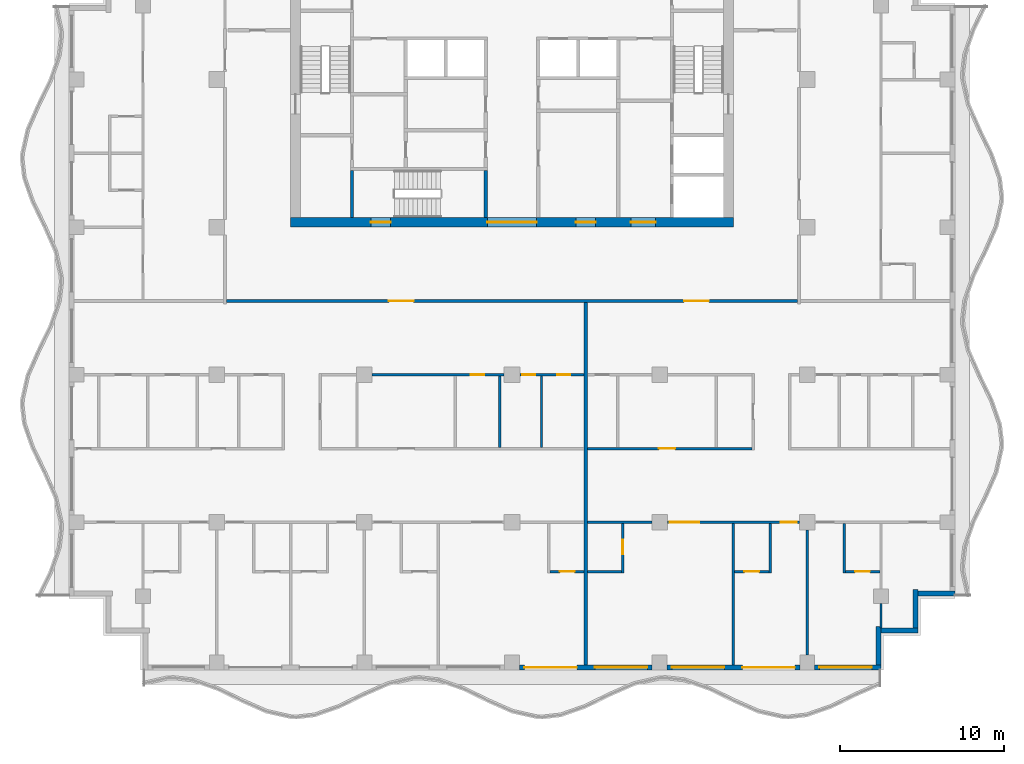
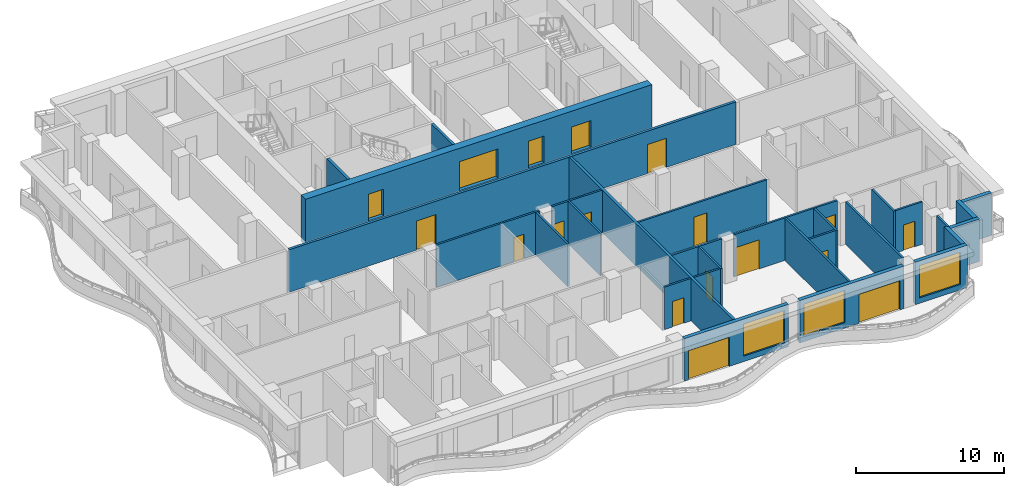
# One storey, part 3 of 11: 29 walls, 18 doors, 3 windows, 21 openings.
"""IFC4 building model written with IfcOpenShell, lengths in metres."""

from ifc_helpers import new_model, si_unit, direction, frame, frame_2d, origin, place, context, subcontext, project, spatial, rectangle, extrude, material, layer, layer_set, type_object, element, fill, save


model = new_model("IFC4")

# Units and contexts
model_context = context("Model", 3, precision=1e-05, world=origin(), true_north=direction((0.0, 1.0)))
body_context = subcontext(model_context, "Body", "Model", "MODEL_VIEW")
ifc_project = project(units=[si_unit("LENGTHUNIT", "METRE"), si_unit("AREAUNIT", "SQUARE_METRE"), si_unit("VOLUMEUNIT", "CUBIC_METRE"), si_unit("PLANEANGLEUNIT", "RADIAN"), si_unit("MASSUNIT", "GRAM", prefix="KILO")], contexts=[model_context])

# Site, building, storey
site_placement = place(None, origin())
site = spatial("IfcSite", under=ifc_project, at=site_placement, CompositionType="ELEMENT")
building_placement = place(site_placement, origin())
building = spatial("IfcBuilding", under=site, at=building_placement, Name="Orbiselva Terraces", CompositionType="ELEMENT")
storey_placement = place(building_placement, frame((0.0, 0.0, 261.6)))
storey = spatial("IfcBuildingStorey", under=building, at=storey_placement, Name="L66", CompositionType="ELEMENT", Elevation=261.6)

# Wall, openings, doors
ifc_material_1 = material(Name="Concrete C80/95", Category="concrete")
ifc_layer_1 = layer(ifc_material_1, 0.6)
ifc_layer_set_1 = layer_set([ifc_layer_1], Name="Concrete C80/95")
wall_type_1 = type_object("IfcWallType", Name="CORE WALL 600", PredefinedType="SHEAR", material=ifc_layer_set_1)
wall_1_placement = place(storey_placement, frame((-13.5, 4.8, -0.3), z_axis=(0.0, 0.0, 1.0), x_axis=(1.0, 0.0, 0.0)))
wall_1 = element("IfcWall", 1, at=wall_1_placement, inside=storey, type_object=wall_type_1, Name="Core wall L66 south", PredefinedType="SHEAR", context=body_context, shape_type="SweptSolid", body=[
    extrude(rectangle(XDim=27.0, YDim=0.6, at=frame_2d((13.5, 0.0))), origin(), (0.0, 0.0, 1.0), 3.8),
])
opening_1_placement = place(wall_1_placement, frame((12.0, 0.0, 0.3)))
opening_1 = element("IfcOpeningElement", 2, at=opening_1_placement, cuts=wall_1, Name="Opening DL3000", PredefinedType="OPENING", context=body_context, shape_type="SweptSolid", body=[
    extrude(rectangle(XDim=3.0, YDim=2.4, at=frame_2d((1.5, 1.2))), frame((0.0, 0.31, 0.0), z_axis=(0.0, -1.0, 0.0), x_axis=(1.0, 0.0, 0.0)), (0.0, 0.0, 1.0), 0.62),
])
opening_2_placement = place(wall_1_placement, frame((4.9, 0.0, 0.3)))
opening_2 = element("IfcOpeningElement", 3, at=opening_2_placement, cuts=wall_1, Name="Opening DS1200", PredefinedType="OPENING", context=body_context, shape_type="SweptSolid", body=[
    extrude(rectangle(XDim=1.2, YDim=2.2, at=frame_2d((0.6, 1.1))), frame((0.0, 0.31, 0.0), z_axis=(0.0, -1.0, 0.0), x_axis=(1.0, 0.0, 0.0)), (0.0, 0.0, 1.0), 0.62),
])
opening_3_placement = place(wall_1_placement, frame((20.75, 0.0, 0.3)))
opening_3 = element("IfcOpeningElement", 4, at=opening_3_placement, cuts=wall_1, Name="Opening DF1500", PredefinedType="OPENING", context=body_context, shape_type="SweptSolid", body=[
    extrude(rectangle(XDim=1.5, YDim=2.2, at=frame_2d((0.75, 1.1))), frame((0.0, 0.31, 0.0), z_axis=(0.0, -1.0, 0.0), x_axis=(1.0, 0.0, 0.0)), (0.0, 0.0, 1.0), 0.62),
])
opening_4_placement = place(wall_1_placement, frame((17.4, 0.0, 0.3)))
opening_4 = element("IfcOpeningElement", 5, at=opening_4_placement, cuts=wall_1, Name="Opening DV1200", PredefinedType="OPENING", context=body_context, shape_type="SweptSolid", body=[
    extrude(rectangle(XDim=1.2, YDim=2.2, at=frame_2d((0.6, 1.1))), frame((0.0, 0.31, 0.0), z_axis=(0.0, -1.0, 0.0), x_axis=(1.0, 0.0, 0.0)), (0.0, 0.0, 1.0), 0.62),
])
ifc_material_2 = material(Name="Steel fire door", Category="steel")
door_type_1 = type_object("IfcDoorType", Name="FFL DOOR 1500", OperationType="DOUBLE_DOOR_SINGLE_SWING", PredefinedType="DOOR", material=ifc_material_2)
door_1_placement = place(opening_3_placement, frame((1.5, 0.0, 0.0), z_axis=(0.0, 0.0, 1.0), x_axis=(-1.0, 0.0, 0.0)))
door_1 = element("IfcDoor", 6, at=door_1_placement, inside=storey, type_object=door_type_1, Name="L66 FIRE-FIGHTING LOBBY door", OperationType="DOUBLE_DOOR_SINGLE_SWING", OverallHeight=2.2, OverallWidth=1.5, PredefinedType="DOOR", context=body_context, shape_type="SweptSolid", body=[
    extrude(rectangle(XDim=1.5, YDim=2.2, at=frame_2d((0.75, 1.1))), frame((0.0, 0.025, 0.0), z_axis=(0.0, -1.0, 0.0), x_axis=(1.0, 0.0, 0.0)), (0.0, 0.0, 1.0), 0.05),
])
fill(opening_3, door_1)
door_type_2 = type_object("IfcDoorType", Name="LOBBY DOOR 3000", OperationType="DOUBLE_DOOR_SINGLE_SWING", PredefinedType="DOOR", material=ifc_material_2)
door_2_placement = place(opening_1_placement, frame((3.0, 0.0, 0.0), z_axis=(0.0, 0.0, 1.0), x_axis=(-1.0, 0.0, 0.0)))
door_2 = element("IfcDoor", 7, at=door_2_placement, inside=storey, type_object=door_type_2, Name="L66 LIFT LOBBY door", OperationType="DOUBLE_DOOR_SINGLE_SWING", OverallHeight=2.4, OverallWidth=3.0, PredefinedType="DOOR", context=body_context, shape_type="SweptSolid", body=[
    extrude(rectangle(XDim=3.0, YDim=2.4, at=frame_2d((1.5, 1.2))), frame((0.0, 0.025, 0.0), z_axis=(0.0, -1.0, 0.0), x_axis=(1.0, 0.0, 0.0)), (0.0, 0.0, 1.0), 0.05),
])
fill(opening_1, door_2)
door_type_3 = type_object("IfcDoorType", Name="SERVICE DOOR 1200", OperationType="NOTDEFINED", PredefinedType="DOOR", material=ifc_material_2)
door_3_placement = place(opening_4_placement, frame((1.2, 0.0, 0.0), z_axis=(0.0, 0.0, 1.0), x_axis=(-1.0, 0.0, 0.0)))
door_3 = element("IfcDoor", 8, at=door_3_placement, inside=storey, type_object=door_type_3, Name="L66 SERVICE ROOM door", OperationType="SINGLE_SWING_RIGHT", OverallHeight=2.2, OverallWidth=1.2, PredefinedType="DOOR", context=body_context, shape_type="SweptSolid", body=[
    extrude(rectangle(XDim=1.2, YDim=2.2, at=frame_2d((0.6, 1.1))), frame((0.0, 0.025, 0.0), z_axis=(0.0, -1.0, 0.0), x_axis=(1.0, 0.0, 0.0)), (0.0, 0.0, 1.0), 0.05),
])
fill(opening_4, door_3)
door_type_4 = type_object("IfcDoorType", Name="STAIR DOOR 1200", OperationType="NOTDEFINED", PredefinedType="DOOR", material=ifc_material_2)
door_4_placement = place(opening_2_placement, frame((1.2, 0.0, 0.0), z_axis=(0.0, 0.0, 1.0), x_axis=(-1.0, 0.0, 0.0)))
door_4 = element("IfcDoor", 9, at=door_4_placement, inside=storey, type_object=door_type_4, Name="L66 EXIT STAIR S3 door", OperationType="SINGLE_SWING_LEFT", OverallHeight=2.2, OverallWidth=1.2, PredefinedType="DOOR", context=body_context, shape_type="SweptSolid", body=[
    extrude(rectangle(XDim=1.2, YDim=2.2, at=frame_2d((0.6, 1.1))), frame((0.0, 0.025, 0.0), z_axis=(0.0, -1.0, 0.0), x_axis=(1.0, 0.0, 0.0)), (0.0, 0.0, 1.0), 0.05),
])
fill(opening_2, door_4)

# Walls
ifc_material_3 = material(Name="Concrete C60/75", Category="concrete")
ifc_layer_2 = layer(ifc_material_3, 0.2)
ifc_layer_set_2 = layer_set([ifc_layer_2], Name="Concrete C60/75")
wall_type_2 = type_object("IfcWallType", Name="CORE-WALL-SHEAR-200", PredefinedType="SHEAR", material=ifc_layer_set_2)
for number, where, z_axis, x_axis, name in (
    (10, (-9.75, 5.1, 0.0), (0.0, 0.0, 1.0), (0.0, 1.0, 0.0), "L66 core wall 03"),
    (11, (-1.6, 5.1, 0.0), (0.0, 0.0, 1.0), (0.0, 1.0, 0.0), "L66 core wall 22"),
):
    element("IfcWall", number, at=place(storey_placement, frame(where, z_axis=z_axis, x_axis=x_axis)), inside=storey, type_object=wall_type_2, Name=name, PredefinedType="SHEAR", context=body_context, shape_type="SweptSolid", body=[
        extrude(rectangle(XDim=2.85, YDim=0.2, at=frame_2d((1.425, 0.0))), origin(), (0.0, 0.0, 1.0), 3.5),
    ])

# Wall, openings, door, window
ifc_material_4 = material(Name="Terracotta cladding on masonry backing", Category="masonry")
ifc_layer_3 = layer(ifc_material_4, 0.3)
ifc_layer_set_3 = layer_set([ifc_layer_3], Name="Terracotta cladding on masonry backing")
wall_type_3 = type_object("IfcWallType", Name="ENV-WALL-TERRACOTTA-300", PredefinedType="SOLIDWALL", material=ifc_layer_set_3)
wall_2_placement = place(storey_placement, frame((8.55, -22.35, 0.0), z_axis=(0.0, 0.0, 1.0), x_axis=(-1.0, 0.0, 0.0)))
wall_2 = element("IfcWall", 12, at=wall_2_placement, inside=storey, type_object=wall_type_3, Name="Facade wall L66 S", PredefinedType="SOLIDWALL", context=body_context, shape_type="SweptSolid", body=[
    extrude(rectangle(XDim=8.1, YDim=0.3, at=frame_2d((4.05, 0.0))), origin(), (0.0, 0.0, 1.0), 3.5),
])
opening_5_placement = place(wall_2_placement, frame((4.6, 0.0, 0.0)))
opening_5 = element("IfcOpeningElement", 13, at=opening_5_placement, cuts=wall_2, Name="Opening Z5-C-E03", PredefinedType="OPENING", context=body_context, shape_type="SweptSolid", body=[
    extrude(rectangle(XDim=3.2, YDim=2.4, at=frame_2d((1.6, 1.2))), frame((0.0, 0.16, 0.0), z_axis=(0.0, -1.0, 0.0), x_axis=(1.0, 0.0, 0.0)), (0.0, 0.0, 1.0), 0.32),
])
opening_6_placement = place(wall_2_placement, frame((0.3, 0.0, 0.45)))
opening_6 = element("IfcOpeningElement", 14, at=opening_6_placement, cuts=wall_2, Name="Opening WN17", PredefinedType="OPENING", context=body_context, shape_type="SweptSolid", body=[
    extrude(rectangle(XDim=3.2, YDim=2.65, at=frame_2d((1.6, 1.325))), frame((0.0, 0.16, 0.0), z_axis=(0.0, -1.0, 0.0), x_axis=(1.0, 0.0, 0.0)), (0.0, 0.0, 1.0), 0.32),
])
ifc_material_5 = material(Name="Clear low-e glazing in aluminium frame", Category="aluminium")
door_type_5 = type_object("IfcDoorType", Name="BALCONY DOOR 3200 X 2400", OperationType="DOUBLE_DOOR_SLIDING", PredefinedType="DOOR", material=ifc_material_5)
door_5_placement = place(opening_5_placement, origin())
door_5 = element("IfcDoor", 15, at=door_5_placement, inside=storey, type_object=door_type_5, Name="Z5-C-E03", OperationType="SINGLE_SWING_LEFT", OverallHeight=2.4, OverallWidth=3.2, PredefinedType="DOOR", context=body_context, shape_type="SweptSolid", body=[
    extrude(rectangle(XDim=3.2, YDim=2.4, at=frame_2d((1.6, 1.2))), frame((0.0, 0.025, 0.0), z_axis=(0.0, -1.0, 0.0), x_axis=(1.0, 0.0, 0.0)), (0.0, 0.0, 1.0), 0.05),
])
fill(opening_5, door_5)
window_type = type_object("IfcWindowType", Name="WINDOW 3200 X 2650 S450", PartitioningType="TRIPLE_PANEL_VERTICAL", PredefinedType="WINDOW", material=ifc_material_5)
window_1_placement = place(opening_6_placement, origin())
window_1 = element("IfcWindow", 16, at=window_1_placement, inside=storey, type_object=window_type, Name="Window L66 S", OverallHeight=2.65, OverallWidth=3.2, PartitioningType="SINGLE_PANEL", PredefinedType="WINDOW", context=body_context, shape_type="SweptSolid", body=[
    extrude(rectangle(XDim=3.2, YDim=2.65, at=frame_2d((1.6, 1.325))), frame((0.0, 0.03, 0.0), z_axis=(0.0, -1.0, 0.0), x_axis=(1.0, 0.0, 0.0)), (0.0, 0.0, 1.0), 0.06),
])
fill(opening_6, window_1)

wall_3_placement = place(storey_placement, frame((17.55, -22.35, 0.0), z_axis=(0.0, 0.0, 1.0), x_axis=(-1.0, 0.0, 0.0)))
wall_3 = element("IfcWall", 17, at=wall_3_placement, inside=storey, type_object=wall_type_3, Name="Facade wall L66 S", PredefinedType="SOLIDWALL", context=body_context, shape_type="SweptSolid", body=[
    extrude(rectangle(XDim=8.1, YDim=0.3, at=frame_2d((4.05, 0.0))), origin(), (0.0, 0.0, 1.0), 3.5),
])
opening_7_placement = place(wall_3_placement, frame((4.6, 0.0, 0.45)))
opening_7 = element("IfcOpeningElement", 18, at=opening_7_placement, cuts=wall_3, Name="Opening WN17", PredefinedType="OPENING", context=body_context, shape_type="SweptSolid", body=[
    extrude(rectangle(XDim=3.2, YDim=2.65, at=frame_2d((1.6, 1.325))), frame((0.0, 0.16, 0.0), z_axis=(0.0, -1.0, 0.0), x_axis=(1.0, 0.0, 0.0)), (0.0, 0.0, 1.0), 0.32),
])
opening_8_placement = place(wall_3_placement, frame((0.3, 0.0, 0.0)))
opening_8 = element("IfcOpeningElement", 19, at=opening_8_placement, cuts=wall_3, Name="Opening Z5-C-E04", PredefinedType="OPENING", context=body_context, shape_type="SweptSolid", body=[
    extrude(rectangle(XDim=3.2, YDim=2.4, at=frame_2d((1.6, 1.2))), frame((0.0, 0.16, 0.0), z_axis=(0.0, -1.0, 0.0), x_axis=(1.0, 0.0, 0.0)), (0.0, 0.0, 1.0), 0.32),
])
door_6_placement = place(opening_8_placement, origin())
door_6 = element("IfcDoor", 20, at=door_6_placement, inside=storey, type_object=door_type_5, Name="Z5-C-E04", OperationType="SINGLE_SWING_LEFT", OverallHeight=2.4, OverallWidth=3.2, PredefinedType="DOOR", context=body_context, shape_type="SweptSolid", body=[
    extrude(rectangle(XDim=3.2, YDim=2.4, at=frame_2d((1.6, 1.2))), frame((0.0, 0.025, 0.0), z_axis=(0.0, -1.0, 0.0), x_axis=(1.0, 0.0, 0.0)), (0.0, 0.0, 1.0), 0.05),
])
fill(opening_8, door_6)
window_2_placement = place(opening_7_placement, origin())
window_2 = element("IfcWindow", 21, at=window_2_placement, inside=storey, type_object=window_type, Name="Window L66 S", OverallHeight=2.65, OverallWidth=3.2, PartitioningType="SINGLE_PANEL", PredefinedType="WINDOW", context=body_context, shape_type="SweptSolid", body=[
    extrude(rectangle(XDim=3.2, YDim=2.65, at=frame_2d((1.6, 1.325))), frame((0.0, 0.03, 0.0), z_axis=(0.0, -1.0, 0.0), x_axis=(1.0, 0.0, 0.0)), (0.0, 0.0, 1.0), 0.06),
])
fill(opening_7, window_2)

# Wall, opening, window
wall_4_placement = place(storey_placement, frame((22.5, -22.35, 0.0), z_axis=(0.0, 0.0, 1.0), x_axis=(-1.0, 0.0, 0.0)))
wall_4 = element("IfcWall", 22, at=wall_4_placement, inside=storey, type_object=wall_type_3, Name="Facade wall L66 S", PredefinedType="SOLIDWALL", context=body_context, shape_type="SweptSolid", body=[
    extrude(rectangle(XDim=4.05, YDim=0.3, at=frame_2d((2.025, 0.0))), origin(), (0.0, 0.0, 1.0), 3.5),
])
opening_9_placement = place(wall_4_placement, frame((0.55, 0.0, 0.45)))
opening_9 = element("IfcOpeningElement", 23, at=opening_9_placement, cuts=wall_4, Name="Opening WN17", PredefinedType="OPENING", context=body_context, shape_type="SweptSolid", body=[
    extrude(rectangle(XDim=3.2, YDim=2.65, at=frame_2d((1.6, 1.325))), frame((0.0, 0.16, 0.0), z_axis=(0.0, -1.0, 0.0), x_axis=(1.0, 0.0, 0.0)), (0.0, 0.0, 1.0), 0.32),
])
window_3_placement = place(opening_9_placement, origin())
window_3 = element("IfcWindow", 24, at=window_3_placement, inside=storey, type_object=window_type, Name="Window L66 S", OverallHeight=2.65, OverallWidth=3.2, PartitioningType="SINGLE_PANEL", PredefinedType="WINDOW", context=body_context, shape_type="SweptSolid", body=[
    extrude(rectangle(XDim=3.2, YDim=2.65, at=frame_2d((1.6, 1.325))), frame((0.0, 0.03, 0.0), z_axis=(0.0, -1.0, 0.0), x_axis=(1.0, 0.0, 0.0)), (0.0, 0.0, 1.0), 0.06),
])
fill(opening_9, window_3)

# Walls
wall_5_placement = place(storey_placement, frame((22.35, -19.85, 0.0), z_axis=(0.0, 0.0, 1.0), x_axis=(0.0, -1.0, 0.0)))
element("IfcWall", 25, at=wall_5_placement, inside=storey, type_object=wall_type_3, Name="Facade wall L66 STEP", PredefinedType="SOLIDWALL", context=body_context, shape_type="SweptSolid", body=[
    extrude(rectangle(XDim=2.35, YDim=0.3, at=frame_2d((1.175, 0.0))), origin(), (0.0, 0.0, 1.0), 3.5),
])
wall_6_placement = place(storey_placement, frame((24.75, -20.1, 0.0), z_axis=(0.0, 0.0, 1.0), x_axis=(-1.0, 0.0, 0.0)))
element("IfcWall", 26, at=wall_6_placement, inside=storey, type_object=wall_type_3, Name="Facade wall L66 STEP", PredefinedType="SOLIDWALL", context=body_context, shape_type="SweptSolid", body=[
    extrude(rectangle(XDim=2.25, YDim=0.3, at=frame_2d((1.125, 0.0))), origin(), (0.0, 0.0, 1.0), 3.5),
])
wall_7_placement = place(storey_placement, frame((24.6, -17.6, 0.0), z_axis=(0.0, 0.0, 1.0), x_axis=(0.0, -1.0, 0.0)))
element("IfcWall", 27, at=wall_7_placement, inside=storey, type_object=wall_type_3, Name="Facade wall L66 STEP", PredefinedType="SOLIDWALL", context=body_context, shape_type="SweptSolid", body=[
    extrude(rectangle(XDim=2.35, YDim=0.3, at=frame_2d((1.175, 0.0))), origin(), (0.0, 0.0, 1.0), 3.5),
])
wall_8_placement = place(storey_placement, frame((27.0, -17.85, 0.0), z_axis=(0.0, 0.0, 1.0), x_axis=(-1.0, 0.0, 0.0)))
element("IfcWall", 28, at=wall_8_placement, inside=storey, type_object=wall_type_3, Name="Facade wall L66 STEP", PredefinedType="SOLIDWALL", context=body_context, shape_type="SweptSolid", body=[
    extrude(rectangle(XDim=2.25, YDim=0.3, at=frame_2d((1.125, 0.0))), origin(), (0.0, 0.0, 1.0), 3.5),
])

# Wall, openings, doors
ifc_material_6 = material(Name="Plasterboard on steel stud partition", Category="steel")
ifc_layer_4 = layer(ifc_material_6, 0.2)
ifc_layer_set_4 = layer_set([ifc_layer_4], Name="Plasterboard on steel stud partition")
wall_type_4 = type_object("IfcWallType", Name="UNIT-ENTRANCE-WALL-200", PredefinedType="PARTITIONING", material=ifc_layer_set_4)
wall_9_placement = place(storey_placement, frame((17.4, 0.0, 0.0), z_axis=(0.0, 0.0, 1.0), x_axis=(-1.0, 0.0, 0.0)))
wall_9 = element("IfcWall", 29, at=wall_9_placement, inside=storey, type_object=wall_type_4, Name="PARTITION L66-029", PredefinedType="PARTITIONING", context=body_context, shape_type="SweptSolid", body=[
    extrude(rectangle(XDim=34.8, YDim=0.2, at=frame_2d((17.4, 0.0))), origin(), (0.0, 0.0, 1.0), 3.5),
])
opening_10_placement = place(wall_9_placement, frame((23.4, 0.0, 0.0)))
opening_10 = element("IfcOpeningElement", 30, at=opening_10_placement, cuts=wall_9, Name="Opening Z5-C-15", PredefinedType="OPENING", context=body_context, shape_type="SweptSolid", body=[
    extrude(rectangle(XDim=1.5, YDim=2.4, at=frame_2d((0.75, 1.2))), frame((0.0, 0.11, 0.0), z_axis=(0.0, -1.0, 0.0), x_axis=(1.0, 0.0, 0.0)), (0.0, 0.0, 1.0), 0.22),
])
opening_11_placement = place(wall_9_placement, frame((5.4, 0.0, 0.0)))
opening_11 = element("IfcOpeningElement", 31, at=opening_11_placement, cuts=wall_9, Name="Opening Z5-C-37", PredefinedType="OPENING", context=body_context, shape_type="SweptSolid", body=[
    extrude(rectangle(XDim=1.5, YDim=2.4, at=frame_2d((0.75, 1.2))), frame((0.0, 0.11, 0.0), z_axis=(0.0, -1.0, 0.0), x_axis=(1.0, 0.0, 0.0)), (0.0, 0.0, 1.0), 0.22),
])
ifc_material_7 = material(Name="Painted timber door leaf", Category="wood")
door_type_6 = type_object("IfcDoorType", Name="ENTRANCE DOUBLE DOOR 1500", OperationType="NOTDEFINED", PredefinedType="DOOR", material=ifc_material_7)
door_7_placement = place(opening_10_placement, origin())
door_7 = element("IfcDoor", 32, at=door_7_placement, inside=storey, type_object=door_type_6, Name="Z5-C-15", OperationType="DOUBLE_DOOR_SINGLE_SWING", OverallHeight=2.4, OverallWidth=1.5, PredefinedType="DOOR", context=body_context, shape_type="SweptSolid", body=[
    extrude(rectangle(XDim=1.5, YDim=2.4, at=frame_2d((0.75, 1.2))), frame((0.0, 0.025, 0.0), z_axis=(0.0, -1.0, 0.0), x_axis=(1.0, 0.0, 0.0)), (0.0, 0.0, 1.0), 0.05),
])
fill(opening_10, door_7)
door_8_placement = place(opening_11_placement, origin())
door_8 = element("IfcDoor", 33, at=door_8_placement, inside=storey, type_object=door_type_6, Name="Z5-C-37", OperationType="DOUBLE_DOOR_SINGLE_SWING", OverallHeight=2.4, OverallWidth=1.5, PredefinedType="DOOR", context=body_context, shape_type="SweptSolid", body=[
    extrude(rectangle(XDim=1.5, YDim=2.4, at=frame_2d((0.75, 1.2))), frame((0.0, 0.025, 0.0), z_axis=(0.0, -1.0, 0.0), x_axis=(1.0, 0.0, 0.0)), (0.0, 0.0, 1.0), 0.05),
])
fill(opening_11, door_8)

# Wall, opening, door
ifc_layer_5 = layer(ifc_material_6, 0.15)
ifc_layer_set_5 = layer_set([ifc_layer_5], Name="Plasterboard on steel stud partition")
wall_type_5 = type_object("IfcWallType", Name="UNIT-PARTITION-150", PredefinedType="PARTITIONING", material=ifc_layer_set_5)
wall_10_placement = place(storey_placement, frame((2.325, -16.5, 0.0), z_axis=(0.0, 0.0, 1.0), x_axis=(1.0, 0.0, 0.0)))
wall_10 = element("IfcWall", 34, at=wall_10_placement, inside=storey, type_object=wall_type_5, Name="PARTITION L66-005", PredefinedType="PARTITIONING", context=body_context, shape_type="SweptSolid", body=[
    extrude(rectangle(XDim=2.075, YDim=0.15, at=frame_2d((1.0375, 0.0))), origin(), (0.0, 0.0, 1.0), 3.5),
])
opening_12_placement = place(wall_10_placement, frame((0.6, 0.0, 0.0)))
opening_12 = element("IfcOpeningElement", 35, at=opening_12_placement, cuts=wall_10, Name="Opening Z5-C-27", PredefinedType="OPENING", context=body_context, shape_type="SweptSolid", body=[
    extrude(rectangle(XDim=0.9, YDim=2.1, at=frame_2d((0.45, 1.05))), frame((0.0, 0.085, 0.0), z_axis=(0.0, -1.0, 0.0), x_axis=(1.0, 0.0, 0.0)), (0.0, 0.0, 1.0), 0.17),
])
door_type_7 = type_object("IfcDoorType", Name="BATH DOOR 900", OperationType="NOTDEFINED", PredefinedType="DOOR", material=ifc_material_7)
door_9_placement = place(opening_12_placement, origin())
door_9 = element("IfcDoor", 36, at=door_9_placement, inside=storey, type_object=door_type_7, Name="Z5-C-27", OperationType="SINGLE_SWING_RIGHT", OverallHeight=2.1, OverallWidth=0.9, PredefinedType="DOOR", context=body_context, shape_type="SweptSolid", body=[
    extrude(rectangle(XDim=0.9, YDim=2.1, at=frame_2d((0.45, 1.05))), frame((0.0, 0.025, 0.0), z_axis=(0.0, -1.0, 0.0), x_axis=(1.0, 0.0, 0.0)), (0.0, 0.0, 1.0), 0.05),
])
fill(opening_12, door_9)

# Wall
wall_11_placement = place(storey_placement, frame((4.6, -16.5, 0.0), z_axis=(0.0, 0.0, 1.0), x_axis=(1.0, 0.0, 0.0)))
element("IfcWall", 37, at=wall_11_placement, inside=storey, type_object=wall_type_5, Name="PARTITION L66-006", PredefinedType="PARTITIONING", context=body_context, shape_type="SweptSolid", body=[
    extrude(rectangle(XDim=2.075, YDim=0.15, at=frame_2d((1.0375, 0.0))), origin(), (0.0, 0.0, 1.0), 3.5),
])

# Wall, opening, door
wall_12_placement = place(storey_placement, frame((13.575, -16.5, 0.0), z_axis=(0.0, 0.0, 1.0), x_axis=(1.0, 0.0, 0.0)))
wall_12 = element("IfcWall", 38, at=wall_12_placement, inside=storey, type_object=wall_type_5, Name="PARTITION L66-007", PredefinedType="PARTITIONING", context=body_context, shape_type="SweptSolid", body=[
    extrude(rectangle(XDim=2.1, YDim=0.15, at=frame_2d((1.05, 0.0))), origin(), (0.0, 0.0, 1.0), 3.5),
])
opening_13_placement = place(wall_12_placement, frame((0.6, 0.0, 0.0)))
opening_13 = element("IfcOpeningElement", 39, at=opening_13_placement, cuts=wall_12, Name="Opening Z5-C-48", PredefinedType="OPENING", context=body_context, shape_type="SweptSolid", body=[
    extrude(rectangle(XDim=0.9, YDim=2.1, at=frame_2d((0.45, 1.05))), frame((0.0, 0.085, 0.0), z_axis=(0.0, -1.0, 0.0), x_axis=(1.0, 0.0, 0.0)), (0.0, 0.0, 1.0), 0.17),
])
door_10_placement = place(opening_13_placement, origin())
door_10 = element("IfcDoor", 40, at=door_10_placement, inside=storey, type_object=door_type_7, Name="Z5-C-48", OperationType="SINGLE_SWING_LEFT", OverallHeight=2.1, OverallWidth=0.9, PredefinedType="DOOR", context=body_context, shape_type="SweptSolid", body=[
    extrude(rectangle(XDim=0.9, YDim=2.1, at=frame_2d((0.45, 1.05))), frame((0.0, 0.025, 0.0), z_axis=(0.0, -1.0, 0.0), x_axis=(1.0, 0.0, 0.0)), (0.0, 0.0, 1.0), 0.05),
])
fill(opening_13, door_10)

wall_13_placement = place(storey_placement, frame((20.325, -16.5, 0.0), z_axis=(0.0, 0.0, 1.0), x_axis=(1.0, 0.0, 0.0)))
wall_13 = element("IfcWall", 41, at=wall_13_placement, inside=storey, type_object=wall_type_5, Name="PARTITION L66-008", PredefinedType="PARTITIONING", context=body_context, shape_type="SweptSolid", body=[
    extrude(rectangle(XDim=2.1, YDim=0.15, at=frame_2d((1.05, 0.0))), origin(), (0.0, 0.0, 1.0), 3.5),
])
opening_14_placement = place(wall_13_placement, frame((0.6, 0.0, 0.0)))
opening_14 = element("IfcOpeningElement", 42, at=opening_14_placement, cuts=wall_13, Name="Opening Z5-C-50", PredefinedType="OPENING", context=body_context, shape_type="SweptSolid", body=[
    extrude(rectangle(XDim=0.9, YDim=2.1, at=frame_2d((0.45, 1.05))), frame((0.0, 0.085, 0.0), z_axis=(0.0, -1.0, 0.0), x_axis=(1.0, 0.0, 0.0)), (0.0, 0.0, 1.0), 0.17),
])
door_11_placement = place(opening_14_placement, origin())
door_11 = element("IfcDoor", 43, at=door_11_placement, inside=storey, type_object=door_type_7, Name="Z5-C-50", OperationType="SINGLE_SWING_LEFT", OverallHeight=2.1, OverallWidth=0.9, PredefinedType="DOOR", context=body_context, shape_type="SweptSolid", body=[
    extrude(rectangle(XDim=0.9, YDim=2.1, at=frame_2d((0.45, 1.05))), frame((0.0, 0.025, 0.0), z_axis=(0.0, -1.0, 0.0), x_axis=(1.0, 0.0, 0.0)), (0.0, 0.0, 1.0), 0.05),
])
fill(opening_14, door_11)

# Wall
wall_14_placement = place(storey_placement, frame((4.6, -13.5, 0.0), z_axis=(0.0, 0.0, 1.0), x_axis=(1.0, 0.0, 0.0)))
element("IfcWall", 44, at=wall_14_placement, inside=storey, type_object=wall_type_5, Name="PARTITION L66-013", PredefinedType="PARTITIONING", context=body_context, shape_type="SweptSolid", body=[
    extrude(rectangle(XDim=3.925, YDim=0.15, at=frame_2d((1.9625, 0.0))), origin(), (0.0, 0.0, 1.0), 3.5),
])

# Wall, openings, doors
wall_15_placement = place(storey_placement, frame((17.525, -13.5, 0.0), z_axis=(0.0, 0.0, 1.0), x_axis=(-1.0, 0.0, 0.0)))
wall_15 = element("IfcWall", 45, at=wall_15_placement, inside=storey, type_object=wall_type_5, Name="PARTITION L66-014", PredefinedType="PARTITIONING", context=body_context, shape_type="SweptSolid", body=[
    extrude(rectangle(XDim=8.05, YDim=0.15, at=frame_2d((4.025, 0.0))), origin(), (0.0, 0.0, 1.0), 3.5),
])
opening_15_placement = place(wall_15_placement, frame((6.1, 0.0, 0.0)))
opening_15 = element("IfcOpeningElement", 46, at=opening_15_placement, cuts=wall_15, Name="Opening Z5-C-45", PredefinedType="OPENING", context=body_context, shape_type="SweptSolid", body=[
    extrude(rectangle(XDim=1.8, YDim=2.4, at=frame_2d((0.9, 1.2))), frame((0.0, 0.085, 0.0), z_axis=(0.0, -1.0, 0.0), x_axis=(1.0, 0.0, 0.0)), (0.0, 0.0, 1.0), 0.17),
])
opening_16_placement = place(wall_15_placement, frame((0.15, 0.0, 0.0)))
opening_16 = element("IfcOpeningElement", 47, at=opening_16_placement, cuts=wall_15, Name="Opening Z5-C-47", PredefinedType="OPENING", context=body_context, shape_type="SweptSolid", body=[
    extrude(rectangle(XDim=1.0, YDim=2.4, at=frame_2d((0.5, 1.2))), frame((0.0, 0.085, 0.0), z_axis=(0.0, -1.0, 0.0), x_axis=(1.0, 0.0, 0.0)), (0.0, 0.0, 1.0), 0.17),
])
door_type_8 = type_object("IfcDoorType", Name="DOUBLE DOOR 1800", OperationType="NOTDEFINED", PredefinedType="DOOR", material=ifc_material_7)
door_12_placement = place(opening_15_placement, origin())
door_12 = element("IfcDoor", 48, at=door_12_placement, inside=storey, type_object=door_type_8, Name="Z5-C-45", OperationType="DOUBLE_DOOR_SINGLE_SWING", OverallHeight=2.4, OverallWidth=1.8, PredefinedType="DOOR", context=body_context, shape_type="SweptSolid", body=[
    extrude(rectangle(XDim=1.8, YDim=2.4, at=frame_2d((0.9, 1.2))), frame((0.0, 0.025, 0.0), z_axis=(0.0, -1.0, 0.0), x_axis=(1.0, 0.0, 0.0)), (0.0, 0.0, 1.0), 0.05),
])
fill(opening_15, door_12)
door_type_9 = type_object("IfcDoorType", Name="ROOM DOOR 1000", OperationType="NOTDEFINED", PredefinedType="DOOR", material=ifc_material_7)
door_13_placement = place(opening_16_placement, origin())
door_13 = element("IfcDoor", 49, at=door_13_placement, inside=storey, type_object=door_type_9, Name="Z5-C-47", OperationType="SINGLE_SWING_LEFT", OverallHeight=2.4, OverallWidth=1.0, PredefinedType="DOOR", context=body_context, shape_type="SweptSolid", body=[
    extrude(rectangle(XDim=1.0, YDim=2.4, at=frame_2d((0.5, 1.2))), frame((0.0, 0.025, 0.0), z_axis=(0.0, -1.0, 0.0), x_axis=(1.0, 0.0, 0.0)), (0.0, 0.0, 1.0), 0.05),
])
fill(opening_16, door_13)

# Wall, opening, door
wall_16_placement = place(storey_placement, frame((4.6, -9.0, 0.0), z_axis=(0.0, 0.0, 1.0), x_axis=(1.0, 0.0, 0.0)))
wall_16 = element("IfcWall", 50, at=wall_16_placement, inside=storey, type_object=wall_type_5, Name="PARTITION L66-018", PredefinedType="PARTITIONING", context=body_context, shape_type="SweptSolid", body=[
    extrude(rectangle(XDim=10.025, YDim=0.15, at=frame_2d((5.0125, 0.0))), origin(), (0.0, 0.0, 1.0), 3.5),
])
opening_17_placement = place(wall_16_placement, frame((4.35, 0.0, 0.0)))
opening_17 = element("IfcOpeningElement", 51, at=opening_17_placement, cuts=wall_16, Name="Opening Z5-C-39", PredefinedType="OPENING", context=body_context, shape_type="SweptSolid", body=[
    extrude(rectangle(XDim=1.0, YDim=2.4, at=frame_2d((0.5, 1.2))), frame((0.0, 0.085, 0.0), z_axis=(0.0, -1.0, 0.0), x_axis=(1.0, 0.0, 0.0)), (0.0, 0.0, 1.0), 0.17),
])
door_14_placement = place(opening_17_placement, origin())
door_14 = element("IfcDoor", 52, at=door_14_placement, inside=storey, type_object=door_type_9, Name="Z5-C-39", OperationType="SINGLE_SWING_LEFT", OverallHeight=2.4, OverallWidth=1.0, PredefinedType="DOOR", context=body_context, shape_type="SweptSolid", body=[
    extrude(rectangle(XDim=1.0, YDim=2.4, at=frame_2d((0.5, 1.2))), frame((0.0, 0.025, 0.0), z_axis=(0.0, -1.0, 0.0), x_axis=(1.0, 0.0, 0.0)), (0.0, 0.0, 1.0), 0.05),
])
fill(opening_17, door_14)

wall_17_placement = place(storey_placement, frame((-0.475, -4.5, 0.0), z_axis=(0.0, 0.0, 1.0), x_axis=(-1.0, 0.0, 0.0)))
wall_17 = element("IfcWall", 53, at=wall_17_placement, inside=storey, type_object=wall_type_5, Name="PARTITION L66-023", PredefinedType="PARTITIONING", context=body_context, shape_type="SweptSolid", body=[
    extrude(rectangle(XDim=8.05, YDim=0.15, at=frame_2d((4.025, 0.0))), origin(), (0.0, 0.0, 1.0), 3.5),
])
opening_18_placement = place(wall_17_placement, frame((1.225, 0.0, 0.0)))
opening_18 = element("IfcOpeningElement", 54, at=opening_18_placement, cuts=wall_17, Name="Opening Z5-C-18", PredefinedType="OPENING", context=body_context, shape_type="SweptSolid", body=[
    extrude(rectangle(XDim=0.8, YDim=2.0, at=frame_2d((0.4, 1.0))), frame((0.0, 0.085, 0.0), z_axis=(0.0, -1.0, 0.0), x_axis=(1.0, 0.0, 0.0)), (0.0, 0.0, 1.0), 0.17),
])
door_type_10 = type_object("IfcDoorType", Name="STORE DOOR 800", OperationType="NOTDEFINED", PredefinedType="DOOR", material=ifc_material_7)
door_15_placement = place(opening_18_placement, origin())
door_15 = element("IfcDoor", 55, at=door_15_placement, inside=storey, type_object=door_type_10, Name="Z5-C-18", OperationType="SINGLE_SWING_LEFT", OverallHeight=2.0, OverallWidth=0.8, PredefinedType="DOOR", context=body_context, shape_type="SweptSolid", body=[
    extrude(rectangle(XDim=0.8, YDim=2.0, at=frame_2d((0.4, 1.0))), frame((0.0, 0.025, 0.0), z_axis=(0.0, -1.0, 0.0), x_axis=(1.0, 0.0, 0.0)), (0.0, 0.0, 1.0), 0.05),
])
fill(opening_18, door_15)

# Wall, openings, doors
wall_18_placement = place(storey_placement, frame((4.4, -4.5, 0.0), z_axis=(0.0, 0.0, 1.0), x_axis=(-1.0, 0.0, 0.0)))
wall_18 = element("IfcWall", 56, at=wall_18_placement, inside=storey, type_object=wall_type_5, Name="PARTITION L66-024", PredefinedType="PARTITIONING", context=body_context, shape_type="SweptSolid", body=[
    extrude(rectangle(XDim=3.925, YDim=0.15, at=frame_2d((1.9625, 0.0))), origin(), (0.0, 0.0, 1.0), 3.5),
])
opening_19_placement = place(wall_18_placement, frame((0.85, 0.0, 0.0)))
opening_19 = element("IfcOpeningElement", 57, at=opening_19_placement, cuts=wall_18, Name="Opening Z5-C-16", PredefinedType="OPENING", context=body_context, shape_type="SweptSolid", body=[
    extrude(rectangle(XDim=0.8, YDim=2.0, at=frame_2d((0.4, 1.0))), frame((0.0, 0.085, 0.0), z_axis=(0.0, -1.0, 0.0), x_axis=(1.0, 0.0, 0.0)), (0.0, 0.0, 1.0), 0.17),
])
opening_20_placement = place(wall_18_placement, frame((2.975, 0.0, 0.0)))
opening_20 = element("IfcOpeningElement", 58, at=opening_20_placement, cuts=wall_18, Name="Opening Z5-C-17", PredefinedType="OPENING", context=body_context, shape_type="SweptSolid", body=[
    extrude(rectangle(XDim=0.8, YDim=2.0, at=frame_2d((0.4, 1.0))), frame((0.0, 0.085, 0.0), z_axis=(0.0, -1.0, 0.0), x_axis=(1.0, 0.0, 0.0)), (0.0, 0.0, 1.0), 0.17),
])
door_16_placement = place(opening_19_placement, origin())
door_16 = element("IfcDoor", 59, at=door_16_placement, inside=storey, type_object=door_type_10, Name="Z5-C-16", OperationType="SINGLE_SWING_LEFT", OverallHeight=2.0, OverallWidth=0.8, PredefinedType="DOOR", context=body_context, shape_type="SweptSolid", body=[
    extrude(rectangle(XDim=0.8, YDim=2.0, at=frame_2d((0.4, 1.0))), frame((0.0, 0.025, 0.0), z_axis=(0.0, -1.0, 0.0), x_axis=(1.0, 0.0, 0.0)), (0.0, 0.0, 1.0), 0.05),
])
fill(opening_19, door_16)
door_17_placement = place(opening_20_placement, origin())
door_17 = element("IfcDoor", 60, at=door_17_placement, inside=storey, type_object=door_type_10, Name="Z5-C-17", OperationType="SINGLE_SWING_RIGHT", OverallHeight=2.0, OverallWidth=0.8, PredefinedType="DOOR", context=body_context, shape_type="SweptSolid", body=[
    extrude(rectangle(XDim=0.8, YDim=2.0, at=frame_2d((0.4, 1.0))), frame((0.0, 0.025, 0.0), z_axis=(0.0, -1.0, 0.0), x_axis=(1.0, 0.0, 0.0)), (0.0, 0.0, 1.0), 0.05),
])
fill(opening_20, door_17)

# Walls
for number, where, z_axis, x_axis, name in (
    (61, (-0.75, -8.925, 0.0), (0.0, 0.0, 1.0), (0.0, 1.0, 0.0), "PARTITION L66-068"),
    (62, (1.8, -8.925, 0.0), (0.0, 0.0, 1.0), (0.0, 1.0, 0.0), "PARTITION L66-069"),
):
    element("IfcWall", number, at=place(storey_placement, frame(where, z_axis=z_axis, x_axis=x_axis)), inside=storey, type_object=wall_type_5, Name=name, PredefinedType="PARTITIONING", context=body_context, shape_type="SweptSolid", body=[
        extrude(rectangle(XDim=4.35, YDim=0.15, at=frame_2d((2.175, 0.0))), origin(), (0.0, 0.0, 1.0), 3.5),
    ])

# Wall, opening, door
wall_19_placement = place(storey_placement, frame((6.75, -16.575, 0.0), z_axis=(0.0, 0.0, 1.0), x_axis=(0.0, 1.0, 0.0)))
wall_19 = element("IfcWall", 63, at=wall_19_placement, inside=storey, type_object=wall_type_5, Name="PARTITION L66-073", PredefinedType="PARTITIONING", context=body_context, shape_type="SweptSolid", body=[
    extrude(rectangle(XDim=3.0, YDim=0.15, at=frame_2d((1.5, 0.0))), origin(), (0.0, 0.0, 1.0), 3.5),
])
opening_21_placement = place(wall_19_placement, frame((1.125, 0.0, 0.0)))
opening_21 = element("IfcOpeningElement", 64, at=opening_21_placement, cuts=wall_19, Name="Opening Z5-C-46", PredefinedType="OPENING", context=body_context, shape_type="SweptSolid", body=[
    extrude(rectangle(XDim=0.9, YDim=2.1, at=frame_2d((0.45, 1.05))), frame((0.0, 0.085, 0.0), z_axis=(0.0, -1.0, 0.0), x_axis=(1.0, 0.0, 0.0)), (0.0, 0.0, 1.0), 0.17),
])
door_18_placement = place(opening_21_placement, origin())
door_18 = element("IfcDoor", 65, at=door_18_placement, inside=storey, type_object=door_type_7, Name="Z5-C-46", OperationType="SINGLE_SWING_RIGHT", OverallHeight=2.1, OverallWidth=0.9, PredefinedType="DOOR", context=body_context, shape_type="SweptSolid", body=[
    extrude(rectangle(XDim=0.9, YDim=2.1, at=frame_2d((0.45, 1.05))), frame((0.0, 0.025, 0.0), z_axis=(0.0, -1.0, 0.0), x_axis=(1.0, 0.0, 0.0)), (0.0, 0.0, 1.0), 0.05),
])
fill(opening_21, door_18)

# Walls
wall_20_placement = place(storey_placement, frame((13.5, -22.2, 0.0), z_axis=(0.0, 0.0, 1.0), x_axis=(0.0, 1.0, 0.0)))
element("IfcWall", 66, at=wall_20_placement, inside=storey, type_object=wall_type_5, Name="PARTITION L66-075", PredefinedType="PARTITIONING", context=body_context, shape_type="SweptSolid", body=[
    extrude(rectangle(XDim=8.625, YDim=0.15, at=frame_2d((4.3125, 0.0))), origin(), (0.0, 0.0, 1.0), 3.5),
])
wall_21_placement = place(storey_placement, frame((15.75, -16.575, 0.0), z_axis=(0.0, 0.0, 1.0), x_axis=(0.0, 1.0, 0.0)))
element("IfcWall", 67, at=wall_21_placement, inside=storey, type_object=wall_type_5, Name="PARTITION L66-077", PredefinedType="PARTITIONING", context=body_context, shape_type="SweptSolid", body=[
    extrude(rectangle(XDim=3.0, YDim=0.15, at=frame_2d((1.5, 0.0))), origin(), (0.0, 0.0, 1.0), 3.5),
])
wall_22_placement = place(storey_placement, frame((18.0, -21.6, 0.0), z_axis=(0.0, 0.0, 1.0), x_axis=(0.0, 1.0, 0.0)))
element("IfcWall", 68, at=wall_22_placement, inside=storey, type_object=wall_type_5, Name="PARTITION L66-083", PredefinedType="PARTITIONING", context=body_context, shape_type="SweptSolid", body=[
    extrude(rectangle(XDim=7.625, YDim=0.15, at=frame_2d((3.8125, 0.0))), origin(), (0.0, 0.0, 1.0), 3.5),
])
wall_23_placement = place(storey_placement, frame((20.25, -16.575, 0.0), z_axis=(0.0, 0.0, 1.0), x_axis=(0.0, 1.0, 0.0)))
element("IfcWall", 69, at=wall_23_placement, inside=storey, type_object=wall_type_5, Name="PARTITION L66-085", PredefinedType="PARTITIONING", context=body_context, shape_type="SweptSolid", body=[
    extrude(rectangle(XDim=3.0, YDim=0.15, at=frame_2d((1.5, 0.0))), origin(), (0.0, 0.0, 1.0), 3.5),
])
wall_24_placement = place(storey_placement, frame((22.5, -19.95, 0.0), z_axis=(0.0, 0.0, 1.0), x_axis=(0.0, 1.0, 0.0)))
element("IfcWall", 70, at=wall_24_placement, inside=storey, type_object=wall_type_5, Name="PARTITION L66-087", PredefinedType="PARTITIONING", context=body_context, shape_type="SweptSolid", body=[
    extrude(rectangle(XDim=1.5, YDim=0.15, at=frame_2d((0.75, 0.0))), origin(), (0.0, 0.0, 1.0), 3.5),
])
ifc_layer_6 = layer(ifc_material_6, 0.2)
ifc_layer_set_6 = layer_set([ifc_layer_6], Name="Plasterboard on steel stud partition")
wall_type_6 = type_object("IfcWallType", Name="UNIT-PARTY-WALL-200", PredefinedType="PARTITIONING", material=ifc_layer_set_6)
wall_25_placement = place(storey_placement, frame((4.5, -22.2, 0.0), z_axis=(0.0, 0.0, 1.0), x_axis=(0.0, 1.0, 0.0)))
element("IfcWall", 71, at=wall_25_placement, inside=storey, type_object=wall_type_6, Name="PARTITION L66-071", PredefinedType="PARTITIONING", context=body_context, shape_type="SweptSolid", body=[
    extrude(rectangle(XDim=22.1, YDim=0.2, at=frame_2d((11.05, 0.0))), origin(), (0.0, 0.0, 1.0), 3.5),
])

save(model, "model.ifc")
